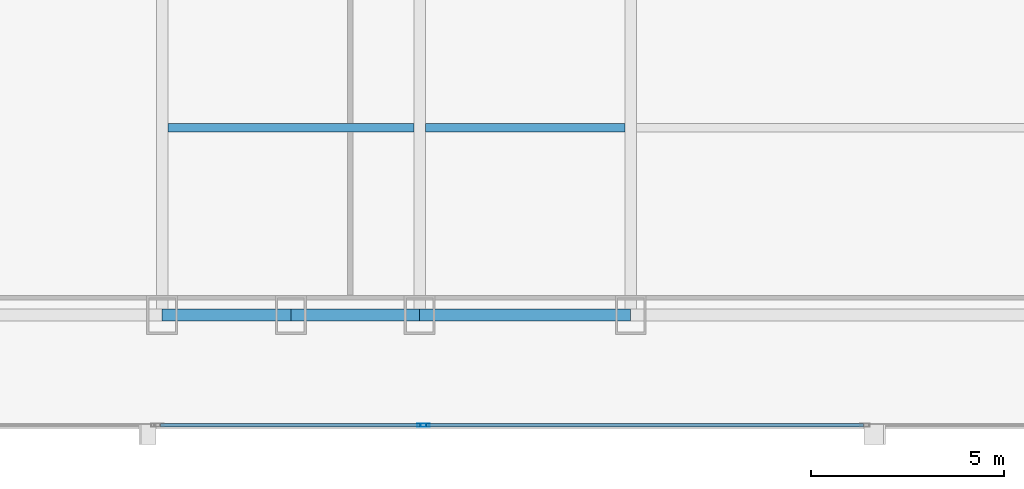
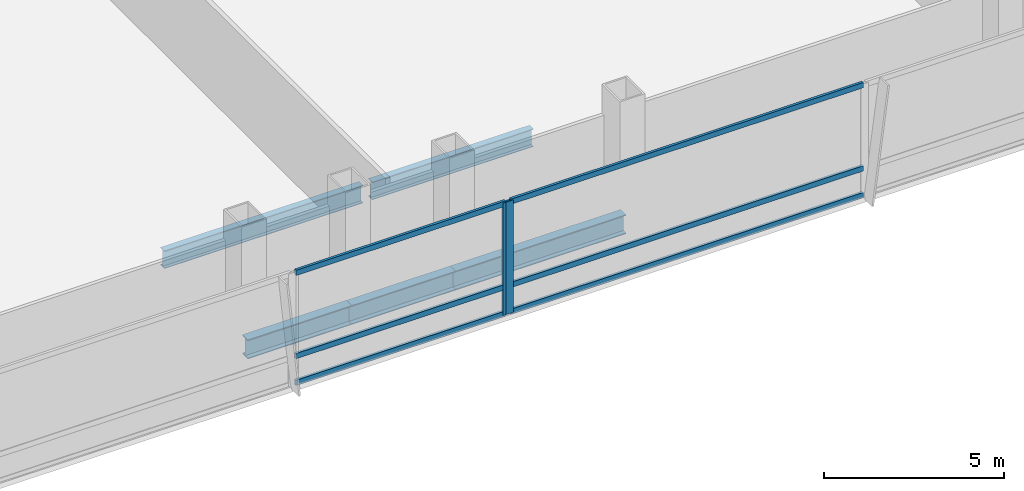
# One storey, part 8 of 32: 8 members, 5 beams, 2 elements without a shape of their own.
"""IFC4 building model written with IfcOpenShell, lengths in metres."""

from ifc_helpers import new_model, si_unit, direction, frame, origin, origin_2d, place, context, subcontext, project, spatial, hollow_rectangle, i_section, extrude, material, material_profile, profile_set, type_object, element, aggregate, save


model = new_model("IFC4")

# Units and contexts
model_context = context("Model", 3, precision=1e-05, world=origin(), true_north=direction((0.0, 1.0)))
body_context = subcontext(model_context, "Body", "Model", "MODEL_VIEW")
ifc_project = project(units=[si_unit("LENGTHUNIT", "METRE"), si_unit("AREAUNIT", "SQUARE_METRE"), si_unit("VOLUMEUNIT", "CUBIC_METRE"), si_unit("PLANEANGLEUNIT", "RADIAN"), si_unit("MASSUNIT", "GRAM", prefix="KILO")], contexts=[model_context])

# Site, building, storey
site_placement = place(None, origin())
site = spatial("IfcSite", under=ifc_project, at=site_placement, CompositionType="ELEMENT")
building_placement = place(site_placement, origin())
building = spatial("IfcBuilding", under=site, at=building_placement, Name="Khoronbel Lancet Exchange", CompositionType="ELEMENT")
storey_placement = place(building_placement, frame((0.0, 0.0, 29.800048828125)))
storey = spatial("IfcBuildingStorey", under=building, at=storey_placement, Name="L06", CompositionType="ELEMENT", Elevation=29.800048828125)

# Beams
ifc_material_1 = material(Name="Steel S355", Category="steel")
ifc_material_profile_1 = material_profile(ifc_material_1, i_section(OverallWidth=0.219970703125, OverallDepth=0.60009765625, WebThickness=0.011962890625, FlangeThickness=0.01904296875, at=origin_2d()), Name="IPE 600")
ifc_profile_set_1 = profile_set([ifc_material_profile_1], Name="Steel S355")
beam_type_1 = type_object("IfcBeamType", Name="BM-BJ1", PredefinedType="JOIST", material=ifc_profile_set_1)
beam_1_placement = place(storey_placement, frame((18.375, 15.0, -0.47998046875), z_axis=(1.0, 0.0, 0.0), x_axis=(0.0, 1.0, 0.0)))
element("IfcBeam", 1, at=beam_1_placement, inside=storey, type_object=beam_type_1, Name="Level L06 secondary composite joist J01", PredefinedType="JOIST", context=body_context, shape_type="SweptSolid", body=[
    extrude(i_section(OverallWidth=0.219970703125, OverallDepth=0.60009765625, WebThickness=0.011962890625, FlangeThickness=0.01904296875, at=origin_2d()), origin(), (0.0, 0.0, 1.0), 6.375),
])
beam_2_placement = place(storey_placement, frame((25.050048828125, 15.0, -0.47998046875), z_axis=(1.0, 0.0, 0.0), x_axis=(0.0, 1.0, 0.0)))
element("IfcBeam", 2, at=beam_2_placement, inside=storey, type_object=beam_type_1, Name="Level L06 secondary composite joist J02", PredefinedType="JOIST", context=body_context, shape_type="SweptSolid", body=[
    extrude(i_section(OverallWidth=0.219970703125, OverallDepth=0.60009765625, WebThickness=0.011962890625, FlangeThickness=0.01904296875, at=origin_2d()), origin(), (0.0, 0.0, 1.0), 5.175048828125),
])
ifc_material_profile_2 = material_profile(ifc_material_1, i_section(OverallWidth=0.300048828125, OverallDepth=0.64990234375, WebThickness=0.01611328125, FlangeThickness=0.031005859375, at=origin_2d()), Name="HEB 650")
ifc_profile_set_2 = profile_set([ifc_material_profile_2], Name="Steel S355")
beam_type_2 = type_object("IfcBeamType", Name="BM-BSP1", PredefinedType="SPANDREL", material=ifc_profile_set_2)
for number, where, z_axis, x_axis, name in (
    (3, (18.22509765625, 10.14990234375, -0.505126953125), (1.0, 0.0, 0.0), (0.0, 1.0, 0.0), "Level L06 perimeter spandrel beam SP02"),
    (4, (21.5625, 10.14990234375, -0.505126953125), (1.0, 0.0, 0.0), (0.0, 1.0, 0.0), "Level L06 perimeter spandrel beam SP03"),
):
    element("IfcBeam", number, at=place(storey_placement, frame(where, z_axis=z_axis, x_axis=x_axis)), inside=storey, type_object=beam_type_2, Name=name, PredefinedType="SPANDREL", context=body_context, shape_type="SweptSolid", body=[
        extrude(i_section(OverallWidth=0.300048828125, OverallDepth=0.64990234375, WebThickness=0.01611328125, FlangeThickness=0.031005859375, at=origin_2d()), origin(), (0.0, 0.0, 1.0), 3.33740234375),
    ])
beam_3_placement = place(storey_placement, frame((24.89990234375, 10.14990234375, -0.505126953125), z_axis=(1.0, 0.0, 0.0), x_axis=(0.0, 1.0, 0.0)))
element("IfcBeam", 5, at=beam_3_placement, inside=storey, type_object=beam_type_2, Name="Level L06 perimeter spandrel beam SP04", PredefinedType="SPANDREL", context=body_context, shape_type="SweptSolid", body=[
    extrude(i_section(OverallWidth=0.300048828125, OverallDepth=0.64990234375, WebThickness=0.01611328125, FlangeThickness=0.031005859375, at=origin_2d()), origin(), (0.0, 0.0, 1.0), 5.47509765625),
])

# Curtain wall, member
ifc_material_2 = material(Name="Low-E Solar Control Insulating Glass", Category="glass")
curtain_wall_type = type_object("IfcCurtainWallType", Name="CW-1", PredefinedType="NOTDEFINED", material=ifc_material_2)
curtain_wall_1_placement = place(storey_placement, origin())
curtain_wall_1 = element("IfcCurtainWall", 6, at=curtain_wall_1_placement, inside=storey, type_object=curtain_wall_type, Name="Unitised curtain wall CW-L06-SWB", PredefinedType="NOTDEFINED")
ifc_material_3 = material(Name="Bronze-Anodised Aluminium 6063-T6", Category="aluminium")
ifc_material_profile_3 = material_profile(ifc_material_3, hollow_rectangle(XDim=0.0849609375, YDim=0.239990234375, WallThickness=0.006103515625, at=origin_2d()), Name="ALU MULLION 85x240")
ifc_profile_set_3 = profile_set([ifc_material_profile_3], Name="Bronze-Anodised Aluminium 6063-T6")
member_type_1 = type_object("IfcMemberType", Name="MEM-CWM1", PredefinedType="MULLION", material=ifc_profile_set_3)
member_1_placement = place(storey_placement, frame((24.95751953125, 7.2900390625, 0.0), z_axis=(0.0, 0.0, 1.0), x_axis=(0.0, 1.0, 0.0)))
member_1 = element("IfcMember", 7, at=member_1_placement, type_object=member_type_1, Name="CW1 mullion 2", PredefinedType="MULLION", context=body_context, shape_type="SweptSolid", body=[
    extrude(hollow_rectangle(XDim=0.0849609375, YDim=0.239990234375, WallThickness=0.006103515625, at=origin_2d()), origin(), (0.0, 0.0, 1.0), 3.820068359375),
])

curtain_wall_2_placement = place(storey_placement, origin())
curtain_wall_2 = element("IfcCurtainWall", 8, at=curtain_wall_2_placement, inside=storey, type_object=curtain_wall_type, Name="Unitised curtain wall CW-L06-SCV", PredefinedType="NOTDEFINED")
member_2_placement = place(storey_placement, frame((25.04248046875, 7.2900390625, 0.0), z_axis=(0.0, 0.0, 1.0), x_axis=(0.0, 1.0, 0.0)))
member_2 = element("IfcMember", 9, at=member_2_placement, type_object=member_type_1, Name="CW1 mullion 1", PredefinedType="MULLION", context=body_context, shape_type="SweptSolid", body=[
    extrude(hollow_rectangle(XDim=0.0849609375, YDim=0.239990234375, WallThickness=0.006103515625, at=origin_2d()), origin(), (0.0, 0.0, 1.0), 3.820068359375),
])

# Member
ifc_material_profile_4 = material_profile(ifc_material_3, hollow_rectangle(XDim=0.0849609375, YDim=0.179931640625, WallThickness=0.0048828125, at=origin_2d()), Name="ALU TRANSOM 85x180")
ifc_profile_set_4 = profile_set([ifc_material_profile_4], Name="Bronze-Anodised Aluminium 6063-T6")
member_type_2 = type_object("IfcMemberType", Name="MEM-CWT1", PredefinedType="USERDEFINED", material=ifc_profile_set_4)
member_3_placement = place(storey_placement, frame((18.18505859375, 7.2900390625, 0.04248046875), z_axis=(1.0, 0.0, 0.0), x_axis=(0.0, 1.0, 0.0)))
member_3 = element("IfcMember", 10, at=member_3_placement, type_object=member_type_2, Name="CW1 transom 1.1", ObjectType="TRANSOM", PredefinedType="USERDEFINED", context=body_context, shape_type="SweptSolid", body=[
    extrude(hollow_rectangle(XDim=0.0849609375, YDim=0.179931640625, WallThickness=0.0048828125, at=origin_2d()), origin(), (0.0, 0.0, 1.0), 6.72998046875),
])

member_4_placement = place(storey_placement, frame((18.18505859375, 7.2900390625, 0.949951171875), z_axis=(1.0, 0.0, 0.0), x_axis=(0.0, 1.0, 0.0)))
member_4 = element("IfcMember", 11, at=member_4_placement, type_object=member_type_2, Name="CW1 transom 1.2", ObjectType="TRANSOM", PredefinedType="USERDEFINED", context=body_context, shape_type="SweptSolid", body=[
    extrude(hollow_rectangle(XDim=0.0849609375, YDim=0.179931640625, WallThickness=0.0048828125, at=origin_2d()), origin(), (0.0, 0.0, 1.0), 6.72998046875),
])

member_5_placement = place(storey_placement, frame((18.18505859375, 7.2900390625, 3.77734375), z_axis=(1.0, 0.0, 0.0), x_axis=(0.0, 1.0, 0.0)))
member_5 = element("IfcMember", 12, at=member_5_placement, type_object=member_type_2, Name="CW1 transom 1.3", ObjectType="TRANSOM", PredefinedType="USERDEFINED", context=body_context, shape_type="SweptSolid", body=[
    extrude(hollow_rectangle(XDim=0.0849609375, YDim=0.179931640625, WallThickness=0.0048828125, at=origin_2d()), origin(), (0.0, 0.0, 1.0), 6.72998046875),
])

aggregate(curtain_wall_1, [member_1, member_3, member_4, member_5])

member_6_placement = place(storey_placement, frame((25.0849609375, 7.2900390625, 0.04248046875), z_axis=(1.0, 0.0, 0.0), x_axis=(0.0, 1.0, 0.0)))
member_6 = element("IfcMember", 13, at=member_6_placement, type_object=member_type_2, Name="CW1 transom 1.1", ObjectType="TRANSOM", PredefinedType="USERDEFINED", context=body_context, shape_type="SweptSolid", body=[
    extrude(hollow_rectangle(XDim=0.0849609375, YDim=0.179931640625, WallThickness=0.0048828125, at=origin_2d()), origin(), (0.0, 0.0, 1.0), 11.322509765625),
])

member_7_placement = place(storey_placement, frame((25.0849609375, 7.2900390625, 0.949951171875), z_axis=(1.0, 0.0, 0.0), x_axis=(0.0, 1.0, 0.0)))
member_7 = element("IfcMember", 14, at=member_7_placement, type_object=member_type_2, Name="CW1 transom 1.2", ObjectType="TRANSOM", PredefinedType="USERDEFINED", context=body_context, shape_type="SweptSolid", body=[
    extrude(hollow_rectangle(XDim=0.0849609375, YDim=0.179931640625, WallThickness=0.0048828125, at=origin_2d()), origin(), (0.0, 0.0, 1.0), 11.322509765625),
])

member_8_placement = place(storey_placement, frame((25.0849609375, 7.2900390625, 3.77734375), z_axis=(1.0, 0.0, 0.0), x_axis=(0.0, 1.0, 0.0)))
member_8 = element("IfcMember", 15, at=member_8_placement, type_object=member_type_2, Name="CW1 transom 1.3", ObjectType="TRANSOM", PredefinedType="USERDEFINED", context=body_context, shape_type="SweptSolid", body=[
    extrude(hollow_rectangle(XDim=0.0849609375, YDim=0.179931640625, WallThickness=0.0048828125, at=origin_2d()), origin(), (0.0, 0.0, 1.0), 11.322509765625),
])

aggregate(curtain_wall_2, [member_2, member_6, member_7, member_8])

save(model, "model.ifc")
